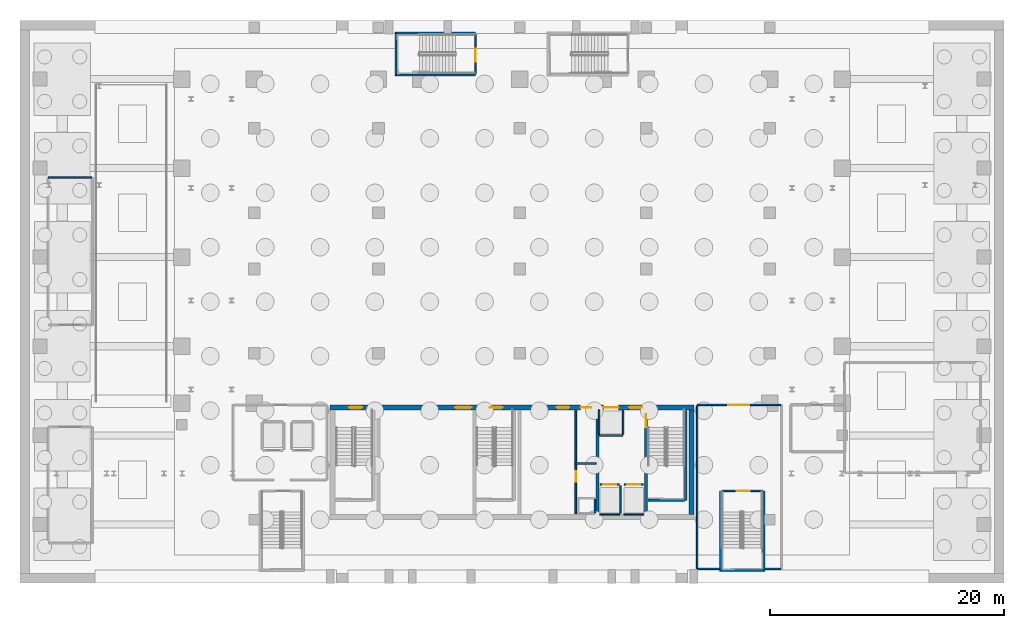
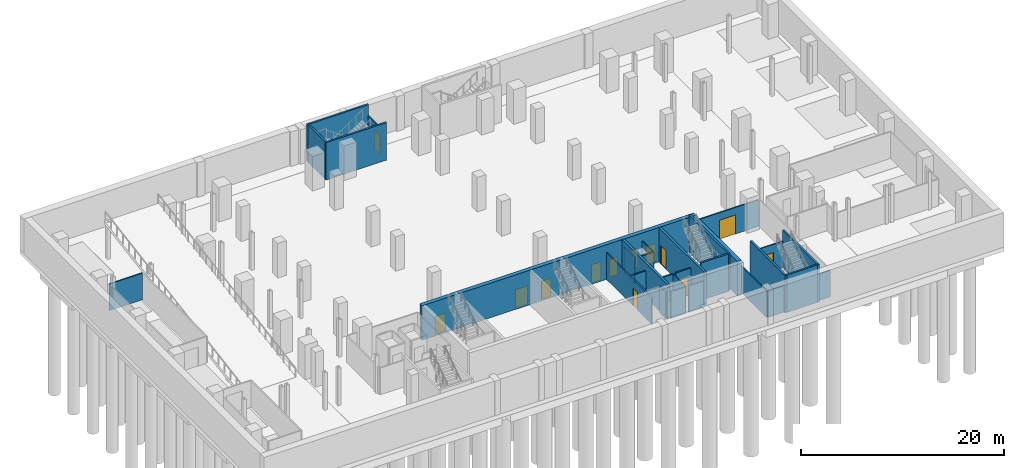
# One storey, part 10 of 18: 30 walls, 14 doors, 14 openings.
"""IFC4 building model written with IfcOpenShell, lengths in metres."""

from ifc_helpers import new_model, si_unit, direction, frame, frame_2d, origin, place, context, subcontext, project, spatial, rectangle, extrude, material, layer, layer_set, type_object, element, fill, save


model = new_model("IFC4")

# Units and contexts
model_context = context("Model", 3, precision=1e-05, world=origin(), true_north=direction((0.0, 1.0)))
body_context = subcontext(model_context, "Body", "Model", "MODEL_VIEW")
ifc_project = project(units=[si_unit("LENGTHUNIT", "METRE"), si_unit("AREAUNIT", "SQUARE_METRE"), si_unit("VOLUMEUNIT", "CUBIC_METRE"), si_unit("PLANEANGLEUNIT", "RADIAN"), si_unit("MASSUNIT", "GRAM", prefix="KILO")], contexts=[model_context])

# Site, building, storey
site_placement = place(None, origin())
site = spatial("IfcSite", under=ifc_project, at=site_placement, CompositionType="ELEMENT")
building_placement = place(site_placement, origin())
building = spatial("IfcBuilding", under=site, at=building_placement, Name="Ndaravel Arena Tower", CompositionType="ELEMENT")
storey_placement = place(building_placement, frame((0.0, 0.0, -9.0)))
storey = spatial("IfcBuildingStorey", under=building, at=storey_placement, Name="B02", CompositionType="ELEMENT", Elevation=-9.0)

# Wall, opening, door
ifc_material_1 = material(Name="Gypsum", Category="gypsum")
ifc_layer_1 = layer(ifc_material_1, 0.14990234375)
ifc_layer_set_1 = layer_set([ifc_layer_1], Name="Gypsum")
wall_type_1 = type_object("IfcWallType", Name="WALL-COMP-150", PredefinedType="PARTITIONING", material=ifc_layer_set_1)
wall_1_placement = place(storey_placement, frame((47.449951171875, 5.89990234375, 0.0), z_axis=(0.0, 0.0, 1.0), x_axis=(0.0, 1.0, 0.0)))
wall_1 = element("IfcWall", 1, at=wall_1_placement, inside=storey, type_object=wall_type_1, Name="B02 Core Riser Bay Partition", PredefinedType="PARTITIONING", context=body_context, shape_type="SweptSolid", body=[
    extrude(rectangle(XDim=8.85009765625, YDim=0.14990234375, at=frame_2d((4.425048828125, 0.0))), origin(), (0.0, 0.0, 1.0), 3.193359375),
])
opening_1_placement = place(wall_1_placement, frame((2.75, 0.0, 0.0)))
opening_1 = element("IfcOpeningElement", 2, at=opening_1_placement, cuts=wall_1, Name="Opening RD-01", PredefinedType="OPENING", context=body_context, shape_type="SweptSolid", body=[
    extrude(rectangle(XDim=0.89990234375, YDim=2.10009765625, at=frame_2d((0.449951171875, 1.050048828125))), frame((0.0, 0.074951171875, 0.0), z_axis=(0.0, -1.0, 0.0), x_axis=(1.0, 0.0, 0.0)), (0.0, 0.0, 1.0), 0.14990234375),
])
ifc_material_2 = material(Name="Steel S355", Category="steel")
door_type_1 = type_object("IfcDoorType", Name="DT-08-RISER-900", OperationType="SINGLE_SWING_LEFT", PredefinedType="DOOR", material=ifc_material_2)
door_1_placement = place(opening_1_placement, origin())
door_1 = element("IfcDoor", 3, at=door_1_placement, inside=storey, type_object=door_type_1, Name="B02 Electrical Riser Door", OperationType="SINGLE_SWING_RIGHT", OverallHeight=2.10009765625, OverallWidth=0.89990234375, PredefinedType="DOOR", context=body_context, shape_type="SweptSolid", body=[
    extrude(rectangle(XDim=0.89990234375, YDim=2.10009765625, at=frame_2d((0.449951171875, 1.050048828125))), frame((0.0, 0.02490234375, 0.0), z_axis=(0.0, -1.0, 0.0), x_axis=(1.0, 0.0, 0.0)), (0.0, 0.0, 1.0), 0.050048828125),
])
fill(opening_1, door_1)

# Walls
wall_2_placement = place(storey_placement, frame((47.449951171875, 10.179931640625, 0.0), z_axis=(0.0, 0.0, 1.0), x_axis=(1.0, 0.0, 0.0)))
element("IfcWall", 4, at=wall_2_placement, inside=storey, type_object=wall_type_1, Name="B02 Core Riser Divider 1", PredefinedType="PARTITIONING", context=body_context, shape_type="SweptSolid", body=[
    extrude(rectangle(XDim=1.72998046875, YDim=0.14990234375, at=frame_2d((0.864990234375, 0.0))), origin(), (0.0, 0.0, 1.0), 3.193359375),
])
ifc_material_3 = material(Name="Concrete C60/75", Category="concrete")
ifc_layer_2 = layer(ifc_material_3, 0.25)
ifc_layer_set_2 = layer_set([ifc_layer_2], Name="Concrete C60/75")
wall_type_2 = type_object("IfcWallType", Name="WALL-CORE-250", PredefinedType="SOLIDWALL", material=ifc_layer_set_2)
wall_3_placement = place(storey_placement, frame((49.300048828125, 5.85009765625, 0.0), z_axis=(0.0, 0.0, 1.0), x_axis=(0.0, 1.0, 0.0)))
element("IfcWall", 5, at=wall_3_placement, inside=storey, type_object=wall_type_2, Name="B02 Core Web Shear Wall 4", PredefinedType="SOLIDWALL", context=body_context, shape_type="SweptSolid", body=[
    extrude(rectangle(XDim=8.89990234375, YDim=0.25, at=frame_2d((4.449951171875, 0.0))), origin(), (0.0, 0.0, 1.0), 4.14990234375),
])

# Wall, opening, door
wall_4_placement = place(storey_placement, frame((53.449951171875, 5.85009765625, 0.0), z_axis=(0.0, 0.0, 1.0), x_axis=(0.0, 1.0, 0.0)))
wall_4 = element("IfcWall", 6, at=wall_4_placement, inside=storey, type_object=wall_type_2, Name="B02 Core Web Shear Wall 5", PredefinedType="SOLIDWALL", context=body_context, shape_type="SweptSolid", body=[
    extrude(rectangle(XDim=8.89990234375, YDim=0.25, at=frame_2d((4.449951171875, 0.0))), origin(), (0.0, 0.0, 1.0), 4.14990234375),
])
opening_2_placement = place(wall_4_placement, frame((7.449951171875, 0.0, 0.0)))
opening_2 = element("IfcOpeningElement", 7, at=opening_2_placement, cuts=wall_4, Name="Opening FD-01", PredefinedType="OPENING", context=body_context, shape_type="SweptSolid", body=[
    extrude(rectangle(XDim=1.10009765625, YDim=2.199951171875, at=frame_2d((0.550048828125, 1.10009765625))), frame((0.0, 0.125, 0.0), z_axis=(0.0, -1.0, 0.0), x_axis=(1.0, 0.0, 0.0)), (0.0, 0.0, 1.0), 0.25),
])
ifc_material_4 = material(Name="Steel S355", Category="steel")
door_type_2 = type_object("IfcDoorType", Name="DT-01-STAIR-1100", OperationType="SINGLE_SWING_LEFT", PredefinedType="DOOR", material=ifc_material_4)
door_2_placement = place(opening_2_placement, origin())
door_2 = element("IfcDoor", 8, at=door_2_placement, inside=storey, type_object=door_type_2, Name="B02 Firefighting Lobby to ST-3 Door", OperationType="SINGLE_SWING_LEFT", OverallHeight=2.199951171875, OverallWidth=1.10009765625, PredefinedType="DOOR", context=body_context, shape_type="SweptSolid", body=[
    extrude(rectangle(XDim=1.10009765625, YDim=2.199951171875, at=frame_2d((0.550048828125, 1.10009765625))), frame((0.0, 0.02490234375, 0.0), z_axis=(0.0, -1.0, 0.0), x_axis=(1.0, 0.0, 0.0)), (0.0, 0.0, 1.0), 0.050048828125),
])
fill(opening_2, door_2)

# Wall, openings, doors
ifc_material_5 = material(Name="Concrete C60/75", Category="concrete")
ifc_layer_3 = layer(ifc_material_5, 0.449951171875)
ifc_layer_set_3 = layer_set([ifc_layer_3], Name="Concrete C60/75")
wall_type_3 = type_object("IfcWallType", Name="WALL-CORE-450", PredefinedType="SOLIDWALL", material=ifc_layer_set_3)
wall_5_placement = place(storey_placement, frame((26.449951171875, 14.97509765625, 0.0), z_axis=(0.0, 0.0, 1.0), x_axis=(1.0, 0.0, 0.0)))
wall_5 = element("IfcWall", 9, at=wall_5_placement, inside=storey, type_object=wall_type_3, Name="B02 Core North Shear Wall", PredefinedType="SOLIDWALL", context=body_context, shape_type="SweptSolid", body=[
    extrude(rectangle(XDim=31.10009765625, YDim=0.449951171875, at=frame_2d((15.550048828125, 0.0))), origin(), (0.0, 0.0, 1.0), 4.14990234375),
])
opening_3_placement = place(wall_5_placement, frame((1.64990234375, 0.0, 0.0)))
opening_3 = element("IfcOpeningElement", 10, at=opening_3_placement, cuts=wall_5, Name="Opening FD-01", PredefinedType="OPENING", context=body_context, shape_type="SweptSolid", body=[
    extrude(rectangle(XDim=1.10009765625, YDim=2.199951171875, at=frame_2d((0.550048828125, 1.10009765625))), frame((0.0, 0.22509765625, 0.0), z_axis=(0.0, -1.0, 0.0), x_axis=(1.0, 0.0, 0.0)), (0.0, 0.0, 1.0), 0.449951171875),
])
opening_4_placement = place(wall_5_placement, frame((13.64990234375, 0.0, 0.0)))
opening_4 = element("IfcOpeningElement", 11, at=opening_4_placement, cuts=wall_5, Name="Opening FD-01", PredefinedType="OPENING", context=body_context, shape_type="SweptSolid", body=[
    extrude(rectangle(XDim=1.10009765625, YDim=2.199951171875, at=frame_2d((0.550048828125, 1.10009765625))), frame((0.0, 0.22509765625, 0.0), z_axis=(0.0, -1.0, 0.0), x_axis=(1.0, 0.0, 0.0)), (0.0, 0.0, 1.0), 0.449951171875),
])
opening_5_placement = place(wall_5_placement, frame((25.550048828125, 0.0, 0.0)))
opening_5 = element("IfcOpeningElement", 12, at=opening_5_placement, cuts=wall_5, Name="Opening FD-01", PredefinedType="OPENING", context=body_context, shape_type="SweptSolid", body=[
    extrude(rectangle(XDim=1.10009765625, YDim=2.199951171875, at=frame_2d((0.550048828125, 1.10009765625))), frame((0.0, 0.22509765625, 0.0), z_axis=(0.0, -1.0, 0.0), x_axis=(1.0, 0.0, 0.0)), (0.0, 0.0, 1.0), 0.449951171875),
])
opening_6_placement = place(wall_5_placement, frame((10.699951171875, 0.0, 0.0)))
opening_6 = element("IfcOpeningElement", 13, at=opening_6_placement, cuts=wall_5, Name="Opening ID-02", PredefinedType="OPENING", context=body_context, shape_type="SweptSolid", body=[
    extrude(rectangle(XDim=1.39990234375, YDim=2.199951171875, at=frame_2d((0.699951171875, 1.10009765625))), frame((0.0, 0.22509765625, 0.0), z_axis=(0.0, -1.0, 0.0), x_axis=(1.0, 0.0, 0.0)), (0.0, 0.0, 1.0), 0.449951171875),
])
opening_7_placement = place(wall_5_placement, frame((19.35009765625, 0.0, 0.0)))
opening_7 = element("IfcOpeningElement", 14, at=opening_7_placement, cuts=wall_5, Name="Opening FD-01", PredefinedType="OPENING", context=body_context, shape_type="SweptSolid", body=[
    extrude(rectangle(XDim=1.10009765625, YDim=2.199951171875, at=frame_2d((0.550048828125, 1.10009765625))), frame((0.0, 0.22509765625, 0.0), z_axis=(0.0, -1.0, 0.0), x_axis=(1.0, 0.0, 0.0)), (0.0, 0.0, 1.0), 0.449951171875),
])
opening_8_placement = place(wall_5_placement, frame((21.39990234375, 0.0, 0.0)))
opening_8 = element("IfcOpeningElement", 15, at=opening_8_placement, cuts=wall_5, Name="Opening RD-01", PredefinedType="OPENING", context=body_context, shape_type="SweptSolid", body=[
    extrude(rectangle(XDim=0.89990234375, YDim=2.10009765625, at=frame_2d((0.449951171875, 1.050048828125))), frame((0.0, 0.22509765625, 0.0), z_axis=(0.0, -1.0, 0.0), x_axis=(1.0, 0.0, 0.0)), (0.0, 0.0, 1.0), 0.449951171875),
])
opening_9_placement = place(wall_5_placement, frame((23.35009765625, 0.0, 0.0)))
opening_9 = element("IfcOpeningElement", 16, at=opening_9_placement, cuts=wall_5, Name="Opening LD-02", PredefinedType="OPENING", context=body_context, shape_type="SweptSolid", body=[
    extrude(rectangle(XDim=1.300048828125, YDim=2.300048828125, at=frame_2d((0.64990234375, 1.14990234375))), frame((0.0, 0.22509765625, 0.0), z_axis=(0.0, -1.0, 0.0), x_axis=(1.0, 0.0, 0.0)), (0.0, 0.0, 1.0), 0.449951171875),
])
door_3_placement = place(opening_3_placement, origin())
door_3 = element("IfcDoor", 17, at=door_3_placement, inside=storey, type_object=door_type_2, Name="B02 Exit Stair ST-1 Door", OperationType="SINGLE_SWING_LEFT", OverallHeight=2.199951171875, OverallWidth=1.10009765625, PredefinedType="DOOR", context=body_context, shape_type="SweptSolid", body=[
    extrude(rectangle(XDim=1.10009765625, YDim=2.199951171875, at=frame_2d((0.550048828125, 1.10009765625))), frame((0.0, 0.02490234375, 0.0), z_axis=(0.0, -1.0, 0.0), x_axis=(1.0, 0.0, 0.0)), (0.0, 0.0, 1.0), 0.050048828125),
])
fill(opening_3, door_3)
door_4_placement = place(opening_4_placement, origin())
door_4 = element("IfcDoor", 18, at=door_4_placement, inside=storey, type_object=door_type_2, Name="B02 Exit Stair ST-2 Door", OperationType="SINGLE_SWING_RIGHT", OverallHeight=2.199951171875, OverallWidth=1.10009765625, PredefinedType="DOOR", context=body_context, shape_type="SweptSolid", body=[
    extrude(rectangle(XDim=1.10009765625, YDim=2.199951171875, at=frame_2d((0.550048828125, 1.10009765625))), frame((0.0, 0.02490234375, 0.0), z_axis=(0.0, -1.0, 0.0), x_axis=(1.0, 0.0, 0.0)), (0.0, 0.0, 1.0), 0.050048828125),
])
fill(opening_4, door_4)
door_5_placement = place(opening_5_placement, origin())
door_5 = element("IfcDoor", 19, at=door_5_placement, inside=storey, type_object=door_type_2, Name="B02 Firefighting Lift Lobby Door", OperationType="SINGLE_SWING_RIGHT", OverallHeight=2.199951171875, OverallWidth=1.10009765625, PredefinedType="DOOR", context=body_context, shape_type="SweptSolid", body=[
    extrude(rectangle(XDim=1.10009765625, YDim=2.199951171875, at=frame_2d((0.550048828125, 1.10009765625))), frame((0.0, 0.02490234375, 0.0), z_axis=(0.0, -1.0, 0.0), x_axis=(1.0, 0.0, 0.0)), (0.0, 0.0, 1.0), 0.050048828125),
])
fill(opening_5, door_5)
door_6_placement = place(opening_7_placement, origin())
door_6 = element("IfcDoor", 20, at=door_6_placement, inside=storey, type_object=door_type_2, Name="B02 Express Lift Lobby Entry Door", OperationType="SINGLE_SWING_LEFT", OverallHeight=2.199951171875, OverallWidth=1.10009765625, PredefinedType="DOOR", context=body_context, shape_type="SweptSolid", body=[
    extrude(rectangle(XDim=1.10009765625, YDim=2.199951171875, at=frame_2d((0.550048828125, 1.10009765625))), frame((0.0, 0.02490234375, 0.0), z_axis=(0.0, -1.0, 0.0), x_axis=(1.0, 0.0, 0.0)), (0.0, 0.0, 1.0), 0.050048828125),
])
fill(opening_7, door_6)
ifc_material_6 = material(Name="Timber", Category="wood")
door_type_3 = type_object("IfcDoorType", Name="DT-04-SUITE-1400", OperationType="DOUBLE_DOOR_SINGLE_SWING", PredefinedType="DOOR", material=ifc_material_6)
door_7_placement = place(opening_6_placement, origin())
door_7 = element("IfcDoor", 21, at=door_7_placement, inside=storey, type_object=door_type_3, Name="B02 West Lift Lobby Entry Door", OperationType="DOUBLE_DOOR_SINGLE_SWING", OverallHeight=2.199951171875, OverallWidth=1.39990234375, PredefinedType="DOOR", context=body_context, shape_type="SweptSolid", body=[
    extrude(rectangle(XDim=1.39990234375, YDim=2.199951171875, at=frame_2d((0.699951171875, 1.10009765625))), frame((0.0, 0.02490234375, 0.0), z_axis=(0.0, -1.0, 0.0), x_axis=(1.0, 0.0, 0.0)), (0.0, 0.0, 1.0), 0.050048828125),
])
fill(opening_6, door_7)
ifc_material_7 = material(Name="Steel S355", Category="steel")
door_type_4 = type_object("IfcDoorType", Name="DT-07-SVLIFT-1300", OperationType="DOUBLE_DOOR_SLIDING", PredefinedType="DOOR", material=ifc_material_7)
door_8_placement = place(opening_9_placement, origin())
door_8 = element("IfcDoor", 22, at=door_8_placement, inside=storey, type_object=door_type_4, Name="B02 Lift SVL-1 Sliding Landing Door", OperationType="DOUBLE_DOOR_SLIDING", OverallHeight=2.300048828125, OverallWidth=1.300048828125, PredefinedType="DOOR", context=body_context, shape_type="SweptSolid", body=[
    extrude(rectangle(XDim=1.300048828125, YDim=2.300048828125, at=frame_2d((0.64990234375, 1.14990234375))), frame((0.0, 0.02490234375, 0.0), z_axis=(0.0, -1.0, 0.0), x_axis=(1.0, 0.0, 0.0)), (0.0, 0.0, 1.0), 0.050048828125),
])
fill(opening_9, door_8)
door_9_placement = place(opening_8_placement, origin())
door_9 = element("IfcDoor", 23, at=door_9_placement, inside=storey, type_object=door_type_1, Name="B02 Core Service Riser North Door", OperationType="SINGLE_SWING_LEFT", OverallHeight=2.10009765625, OverallWidth=0.89990234375, PredefinedType="DOOR", context=body_context, shape_type="SweptSolid", body=[
    extrude(rectangle(XDim=0.89990234375, YDim=2.10009765625, at=frame_2d((0.449951171875, 1.050048828125))), frame((0.0, 0.02490234375, 0.0), z_axis=(0.0, -1.0, 0.0), x_axis=(1.0, 0.0, 0.0)), (0.0, 0.0, 1.0), 0.050048828125),
])
fill(opening_8, door_9)

# Walls
wall_6_placement = place(storey_placement, frame((57.324951171875, 5.85009765625, 0.0), z_axis=(0.0, 0.0, 1.0), x_axis=(0.0, 1.0, 0.0)))
element("IfcWall", 24, at=wall_6_placement, inside=storey, type_object=wall_type_3, Name="B02 Core East Shear Wall", PredefinedType="SOLIDWALL", context=body_context, shape_type="SweptSolid", body=[
    extrude(rectangle(XDim=8.89990234375, YDim=0.449951171875, at=frame_2d((4.449951171875, 0.0))), origin(), (0.0, 0.0, 1.0), 4.14990234375),
])
ifc_material_8 = material(Name="Gypsum", Category="gypsum")
ifc_layer_4 = layer(ifc_material_8, 0.125)
ifc_layer_set_4 = layer_set([ifc_layer_4], Name="Gypsum")
wall_type_4 = type_object("IfcWallType", Name="WALL-PART-125", PredefinedType="PARTITIONING", material=ifc_layer_set_4)
wall_7_placement = place(storey_placement, frame((6.135009765625, 34.60009765625, 0.0), z_axis=(0.0, 0.0, 1.0), x_axis=(-1.0, 0.0, 0.0)))
element("IfcWall", 25, at=wall_7_placement, inside=storey, type_object=wall_type_4, Name="B02 Interior Partition 006", PredefinedType="PARTITIONING", context=body_context, shape_type="SweptSolid", body=[
    extrude(rectangle(XDim=3.735107421875, YDim=0.125, at=frame_2d((1.86767578125, 0.0))), origin(), (0.0, 0.0, 1.0), 3.193359375),
])

# Wall, opening, door
wall_8_placement = place(storey_placement, frame((64.93505859375, 15.199951171875, 0.0), z_axis=(0.0, 0.0, 1.0), x_axis=(-1.0, 0.0, 0.0)))
wall_8 = element("IfcWall", 26, at=wall_8_placement, inside=storey, type_object=wall_type_4, Name="B02 Interior Partition 015", PredefinedType="PARTITIONING", context=body_context, shape_type="SweptSolid", body=[
    extrude(rectangle(XDim=7.135009765625, YDim=0.125, at=frame_2d((3.5673828125, 0.0))), origin(), (0.0, 0.0, 1.0), 3.193359375),
])
opening_10_placement = place(wall_8_placement, frame((2.66748046875, 0.0, 0.0)))
opening_10 = element("IfcOpeningElement", 27, at=opening_10_placement, cuts=wall_8, Name="Opening PD-01", PredefinedType="OPENING", context=body_context, shape_type="SweptSolid", body=[
    extrude(rectangle(XDim=1.800048828125, YDim=2.300048828125, at=frame_2d((0.89990234375, 1.14990234375))), frame((0.0, 0.0625, 0.0), z_axis=(0.0, -1.0, 0.0), x_axis=(1.0, 0.0, 0.0)), (0.0, 0.0, 1.0), 0.125),
])
ifc_material_9 = material(Name="Steel S355", Category="steel")
door_type_5 = type_object("IfcDoorType", Name="DT-09-PLANT-1800", OperationType="DOUBLE_DOOR_SINGLE_SWING", PredefinedType="DOOR", material=ifc_material_9)
door_10_placement = place(opening_10_placement, origin())
door_10 = element("IfcDoor", 28, at=door_10_placement, inside=storey, type_object=door_type_5, Name="B02 Primary HV Substation & Transformer Room Door", OperationType="SINGLE_SWING_LEFT", OverallHeight=2.300048828125, OverallWidth=1.800048828125, PredefinedType="DOOR", context=body_context, shape_type="SweptSolid", body=[
    extrude(rectangle(XDim=1.800048828125, YDim=2.300048828125, at=frame_2d((0.89990234375, 1.14990234375))), frame((0.0, 0.02490234375, 0.0), z_axis=(0.0, -1.0, 0.0), x_axis=(1.0, 0.0, 0.0)), (0.0, 0.0, 1.0), 0.050048828125),
])
fill(opening_10, door_10)

# Walls
wall_9_placement = place(storey_placement, frame((57.800048828125, 15.135009765625, 0.0), z_axis=(0.0, 0.0, 1.0), x_axis=(0.0, -1.0, 0.0)))
element("IfcWall", 29, at=wall_9_placement, inside=storey, type_object=wall_type_4, Name="B02 Interior Partition 016", PredefinedType="PARTITIONING", context=body_context, shape_type="SweptSolid", body=[
    extrude(rectangle(XDim=13.93505859375, YDim=0.125, at=frame_2d((6.967529296875, 0.0))), origin(), (0.0, 0.0, 1.0), 3.193359375),
])
wall_10_placement = place(storey_placement, frame((57.864990234375, 1.199951171875, 0.0), z_axis=(0.0, 0.0, 1.0), x_axis=(1.0, 0.0, 0.0)))
element("IfcWall", 30, at=wall_10_placement, inside=storey, type_object=wall_type_4, Name="B02 Interior Partition 017", PredefinedType="PARTITIONING", context=body_context, shape_type="SweptSolid", body=[
    extrude(rectangle(XDim=1.81494140625, YDim=0.125, at=frame_2d((0.907470703125, 0.0))), origin(), (0.0, 0.0, 1.0), 3.193359375),
])
wall_11_placement = place(storey_placement, frame((63.6201171875, 1.199951171875, 0.0), z_axis=(0.0, 0.0, 1.0), x_axis=(1.0, 0.0, 0.0)))
element("IfcWall", 31, at=wall_11_placement, inside=storey, type_object=wall_type_4, Name="B02 Interior Partition 018", PredefinedType="PARTITIONING", context=body_context, shape_type="SweptSolid", body=[
    extrude(rectangle(XDim=1.31494140625, YDim=0.125, at=frame_2d((0.657470703125, 0.0))), origin(), (0.0, 0.0, 1.0), 3.193359375),
])

# Wall, opening, door
ifc_material_10 = material(Name="Concrete C40/50", Category="concrete")
ifc_layer_5 = layer(ifc_material_10, 0.1201171875)
ifc_layer_set_5 = layer_set([ifc_layer_5], Name="Concrete C40/50")
wall_type_5 = type_object("IfcWallType", Name="WALL-SHAFT-120", PredefinedType="SOLIDWALL", material=ifc_layer_set_5)
wall_12_placement = place(storey_placement, frame((59.905029296875, 7.85009765625, 0.0), z_axis=(0.0, 0.0, 1.0), x_axis=(1.0, 0.0, 0.0)))
wall_12 = element("IfcWall", 32, at=wall_12_placement, inside=storey, type_object=wall_type_5, Name="B02 ST-B2 Entry Wall", PredefinedType="SOLIDWALL", context=body_context, shape_type="SweptSolid", body=[
    extrude(rectangle(XDim=3.489990234375, YDim=0.1201171875, at=frame_2d((1.7451171875, 0.0))), origin(), (0.0, 0.0, 1.0), 3.193359375),
])
opening_11_placement = place(wall_12_placement, frame((1.300048828125, 0.0, 0.0)))
opening_11 = element("IfcOpeningElement", 33, at=opening_11_placement, cuts=wall_12, Name="Opening FD-01", PredefinedType="OPENING", context=body_context, shape_type="SweptSolid", body=[
    extrude(rectangle(XDim=1.10009765625, YDim=2.199951171875, at=frame_2d((0.550048828125, 1.10009765625))), frame((0.0, 0.06005859375, 0.0), z_axis=(0.0, -1.0, 0.0), x_axis=(1.0, 0.0, 0.0)), (0.0, 0.0, 1.0), 0.1201171875),
])
door_11_placement = place(opening_11_placement, origin())
door_11 = element("IfcDoor", 34, at=door_11_placement, inside=storey, type_object=door_type_2, Name="B02 ST-B2 Fire Exit Stair Door", OperationType="SINGLE_SWING_LEFT", OverallHeight=2.199951171875, OverallWidth=1.10009765625, PredefinedType="DOOR", context=body_context, shape_type="SweptSolid", body=[
    extrude(rectangle(XDim=1.10009765625, YDim=2.199951171875, at=frame_2d((0.550048828125, 1.10009765625))), frame((0.0, 0.02490234375, 0.0), z_axis=(0.0, -1.0, 0.0), x_axis=(1.0, 0.0, 0.0)), (0.0, 0.0, 1.0), 0.050048828125),
])
fill(opening_11, door_11)

wall_13_placement = place(storey_placement, frame((38.89990234375, 46.8349609375, 0.0), z_axis=(0.0, 0.0, 1.0), x_axis=(0.0, -1.0, 0.0)))
wall_13 = element("IfcWall", 35, at=wall_13_placement, inside=storey, type_object=wall_type_5, Name="B02 ST-B3 Entry Wall", PredefinedType="SOLIDWALL", context=body_context, shape_type="SweptSolid", body=[
    extrude(rectangle(XDim=3.369873046875, YDim=0.1201171875, at=frame_2d((1.68505859375, 0.0))), origin(), (0.0, 0.0, 1.0), 3.193359375),
])
opening_12_placement = place(wall_13_placement, frame((1.239990234375, 0.0, 0.0)))
opening_12 = element("IfcOpeningElement", 36, at=opening_12_placement, cuts=wall_13, Name="Opening FD-01", PredefinedType="OPENING", context=body_context, shape_type="SweptSolid", body=[
    extrude(rectangle(XDim=1.10009765625, YDim=2.199951171875, at=frame_2d((0.550048828125, 1.10009765625))), frame((0.0, 0.06005859375, 0.0), z_axis=(0.0, -1.0, 0.0), x_axis=(1.0, 0.0, 0.0)), (0.0, 0.0, 1.0), 0.1201171875),
])
door_12_placement = place(opening_12_placement, origin())
door_12 = element("IfcDoor", 37, at=door_12_placement, inside=storey, type_object=door_type_2, Name="B02 ST-B3 Fire Exit Stair Door", OperationType="SINGLE_SWING_LEFT", OverallHeight=2.199951171875, OverallWidth=1.10009765625, PredefinedType="DOOR", context=body_context, shape_type="SweptSolid", body=[
    extrude(rectangle(XDim=1.10009765625, YDim=2.199951171875, at=frame_2d((0.550048828125, 1.10009765625))), frame((0.0, 0.02490234375, 0.0), z_axis=(0.0, -1.0, 0.0), x_axis=(1.0, 0.0, 0.0)), (0.0, 0.0, 1.0), 0.050048828125),
])
fill(opening_12, door_12)

# Walls
wall_14_placement = place(storey_placement, frame((49.080078125, 6.0, 0.0), z_axis=(0.0, 0.0, 1.0), x_axis=(0.0, 1.0, 0.0)))
element("IfcWall", 38, at=wall_14_placement, inside=storey, type_object=wall_type_5, Name="B02 MEP Riser Shaft E Wall", PredefinedType="SOLIDWALL", context=body_context, shape_type="SweptSolid", body=[
    extrude(rectangle(XDim=1.139892578125, YDim=0.1201171875, at=frame_2d((0.56982421875, 0.0))), origin(), (0.0, 0.0, 1.0), 3.193359375),
])
wall_15_placement = place(storey_placement, frame((49.5048828125, 5.840087890625, 0.0), z_axis=(0.0, 0.0, 1.0), x_axis=(1.0, 0.0, 0.0)))
element("IfcWall", 39, at=wall_15_placement, inside=storey, type_object=wall_type_5, Name="B02 FFL-1 Shaft Rear Wall", PredefinedType="SOLIDWALL", context=body_context, shape_type="SweptSolid", body=[
    extrude(rectangle(XDim=1.690185546875, YDim=0.1201171875, at=frame_2d((0.84521484375, 0.0))), origin(), (0.0, 0.0, 1.0), 3.193359375),
])
wall_16_placement = place(storey_placement, frame((51.27490234375, 5.929931640625, 0.0), z_axis=(0.0, 0.0, 1.0), x_axis=(0.0, 1.0, 0.0)))
element("IfcWall", 40, at=wall_16_placement, inside=storey, type_object=wall_type_5, Name="B02 FFL-1 Shaft Side R Wall", PredefinedType="SOLIDWALL", context=body_context, shape_type="SweptSolid", body=[
    extrude(rectangle(XDim=2.380126953125, YDim=0.1201171875, at=frame_2d((1.18994140625, 0.0))), origin(), (0.0, 0.0, 1.0), 3.193359375),
])
wall_17_placement = place(storey_placement, frame((51.554931640625, 5.840087890625, 0.0), z_axis=(0.0, 0.0, 1.0), x_axis=(1.0, 0.0, 0.0)))
element("IfcWall", 41, at=wall_17_placement, inside=storey, type_object=wall_type_5, Name="B02 FFL-2 Shaft Rear Wall", PredefinedType="SOLIDWALL", context=body_context, shape_type="SweptSolid", body=[
    extrude(rectangle(XDim=1.690185546875, YDim=0.1201171875, at=frame_2d((0.84521484375, 0.0))), origin(), (0.0, 0.0, 1.0), 3.193359375),
])
for number, where, z_axis, x_axis, name in (
    (42, (49.43994140625, 12.68994140625, 0.0), (0.0, 0.0, 1.0), (0.0, 1.0, 0.0), "B02 SVL-1 Shaft W Wall"),
    (43, (51.47998046875, 12.68994140625, 0.0), (0.0, 0.0, 1.0), (0.0, 1.0, 0.0), "B02 SVL-1 Shaft E Wall"),
):
    element("IfcWall", number, at=place(storey_placement, frame(where, z_axis=z_axis, x_axis=x_axis)), inside=storey, type_object=wall_type_5, Name=name, PredefinedType="SOLIDWALL", context=body_context, shape_type="SweptSolid", body=[
        extrude(rectangle(XDim=2.070068359375, YDim=0.1201171875, at=frame_2d((1.03515625, 0.0))), origin(), (0.0, 0.0, 1.0), 3.193359375),
    ])
ifc_material_11 = material(Name="Concrete C40/50", Category="concrete")
ifc_layer_6 = layer(ifc_material_11, 0.199951171875)
ifc_layer_set_6 = layer_set([ifc_layer_6], Name="Concrete C40/50")
wall_type_6 = type_object("IfcWallType", Name="WALL-SHAFT-200", PredefinedType="SOLIDWALL", material=ifc_layer_set_6)
wall_18_placement = place(storey_placement, frame((56.840087890625, 14.699951171875, 0.0), z_axis=(0.0, 0.0, 1.0), x_axis=(0.0, -1.0, 0.0)))
element("IfcWall", 44, at=wall_18_placement, inside=storey, type_object=wall_type_6, Name="B02 ST-3 Structural Shaft Wall Right", PredefinedType="SOLIDWALL", context=body_context, shape_type="SweptSolid", body=[
    extrude(rectangle(XDim=7.64990234375, YDim=0.199951171875, at=frame_2d((3.824951171875, 0.0))), origin(), (0.0, 0.0, 1.0), 4.5),
])
wall_19_placement = place(storey_placement, frame((53.6201171875, 7.050048828125, 0.0), z_axis=(0.0, 0.0, 1.0), x_axis=(1.0, 0.0, 0.0)))
element("IfcWall", 45, at=wall_19_placement, inside=storey, type_object=wall_type_6, Name="B02 ST-3 Structural Shaft Wall Far", PredefinedType="SOLIDWALL", context=body_context, shape_type="SweptSolid", body=[
    extrude(rectangle(XDim=3.114990234375, YDim=0.199951171875, at=frame_2d((1.5576171875, 0.0))), origin(), (0.0, 0.0, 1.0), 4.5),
])
for number, where, z_axis, x_axis, name in (
    (46, (59.800048828125, 7.85009765625, 0.0), (0.0, 0.0, 1.0), (0.0, -1.0, 0.0), "B02 ST-B2 Shaft Wall Left"),
    (47, (63.5, 7.85009765625, 0.0), (0.0, 0.0, 1.0), (0.0, -1.0, 0.0), "B02 ST-B2 Shaft Wall Right"),
):
    element("IfcWall", number, at=place(storey_placement, frame(where, z_axis=z_axis, x_axis=x_axis)), inside=storey, type_object=wall_type_6, Name=name, PredefinedType="SOLIDWALL", context=body_context, shape_type="SweptSolid", body=[
        extrude(rectangle(XDim=6.900146484375, YDim=0.199951171875, at=frame_2d((3.4501953125, 0.0))), origin(), (0.0, 0.0, 1.0), 4.5),
    ])
wall_20_placement = place(storey_placement, frame((59.81005859375, 1.050048828125, 0.0), z_axis=(0.0, 0.0, 1.0), x_axis=(1.0, 0.0, 0.0)))
element("IfcWall", 48, at=wall_20_placement, inside=storey, type_object=wall_type_6, Name="B02 ST-B2 Shaft Wall Far", PredefinedType="SOLIDWALL", context=body_context, shape_type="SweptSolid", body=[
    extrude(rectangle(XDim=3.679931640625, YDim=0.199951171875, at=frame_2d((1.83984375, 0.0))), origin(), (0.0, 0.0, 1.0), 4.5),
])
for number, where, z_axis, x_axis, name in (
    (49, (38.89990234375, 46.93994140625, 0.0), (0.0, 0.0, 1.0), (-1.0, 0.0, 0.0), "B02 ST-B3 Shaft Wall Left"),
    (50, (38.89990234375, 43.360107421875, 0.0), (0.0, 0.0, 1.0), (-1.0, 0.0, 0.0), "B02 ST-B3 Shaft Wall Right"),
):
    element("IfcWall", number, at=place(storey_placement, frame(where, z_axis=z_axis, x_axis=x_axis)), inside=storey, type_object=wall_type_6, Name=name, PredefinedType="SOLIDWALL", context=body_context, shape_type="SweptSolid", body=[
        extrude(rectangle(XDim=6.89990234375, YDim=0.199951171875, at=frame_2d((3.449951171875, 0.0))), origin(), (0.0, 0.0, 1.0), 4.5),
    ])
wall_21_placement = place(storey_placement, frame((32.10009765625, 46.929931640625, 0.0), z_axis=(0.0, 0.0, 1.0), x_axis=(0.0, -1.0, 0.0)))
element("IfcWall", 51, at=wall_21_placement, inside=storey, type_object=wall_type_6, Name="B02 ST-B3 Shaft Wall Far", PredefinedType="SOLIDWALL", context=body_context, shape_type="SweptSolid", body=[
    extrude(rectangle(XDim=3.559814453125, YDim=0.199951171875, at=frame_2d((1.77978515625, 0.0))), origin(), (0.0, 0.0, 1.0), 4.5),
])

# Wall, opening, door
wall_22_placement = place(storey_placement, frame((49.5048828125, 8.39990234375, 0.0), z_axis=(0.0, 0.0, 1.0), x_axis=(1.0, 0.0, 0.0)))
wall_22 = element("IfcWall", 52, at=wall_22_placement, inside=storey, type_object=wall_type_6, Name="B02 FFL-1 Shaft Landing Wall", PredefinedType="SOLIDWALL", context=body_context, shape_type="SweptSolid", body=[
    extrude(rectangle(XDim=1.690185546875, YDim=0.179931640625, at=frame_2d((0.84521484375, 0.0))), origin(), (0.0, 0.0, 1.0), 3.193359375),
])
opening_13_placement = place(wall_22_placement, frame((0.294921875, 0.0, 0.0)))
opening_13 = element("IfcOpeningElement", 53, at=opening_13_placement, cuts=wall_22, Name="Opening LD-01", PredefinedType="OPENING", context=body_context, shape_type="SweptSolid", body=[
    extrude(rectangle(XDim=1.10009765625, YDim=2.199951171875, at=frame_2d((0.550048828125, 1.10009765625))), frame((0.0, 0.08984375, 0.0), z_axis=(0.0, -1.0, 0.0), x_axis=(1.0, 0.0, 0.0)), (0.0, 0.0, 1.0), 0.179931640625),
])
ifc_material_12 = material(Name="Steel S355", Category="steel")
door_type_6 = type_object("IfcDoorType", Name="DT-06-LIFT-1100", OperationType="SLIDING_TO_LEFT", PredefinedType="DOOR", material=ifc_material_12)
door_13_placement = place(opening_13_placement, origin())
door_13 = element("IfcDoor", 54, at=door_13_placement, inside=storey, type_object=door_type_6, Name="B02 Lift FFL-1 Sliding Landing Door", OperationType="SLIDING_TO_LEFT", OverallHeight=2.199951171875, OverallWidth=1.10009765625, PredefinedType="DOOR", context=body_context, shape_type="SweptSolid", body=[
    extrude(rectangle(XDim=1.10009765625, YDim=2.199951171875, at=frame_2d((0.550048828125, 1.10009765625))), frame((0.0, 0.02490234375, 0.0), z_axis=(0.0, -1.0, 0.0), x_axis=(1.0, 0.0, 0.0)), (0.0, 0.0, 1.0), 0.050048828125),
])
fill(opening_13, door_13)

wall_23_placement = place(storey_placement, frame((51.554931640625, 8.39990234375, 0.0), z_axis=(0.0, 0.0, 1.0), x_axis=(1.0, 0.0, 0.0)))
wall_23 = element("IfcWall", 55, at=wall_23_placement, inside=storey, type_object=wall_type_6, Name="B02 FFL-2 Shaft Landing Wall", PredefinedType="SOLIDWALL", context=body_context, shape_type="SweptSolid", body=[
    extrude(rectangle(XDim=1.690185546875, YDim=0.179931640625, at=frame_2d((0.84521484375, 0.0))), origin(), (0.0, 0.0, 1.0), 3.193359375),
])
opening_14_placement = place(wall_23_placement, frame((0.294921875, 0.0, 0.0)))
opening_14 = element("IfcOpeningElement", 56, at=opening_14_placement, cuts=wall_23, Name="Opening LD-01", PredefinedType="OPENING", context=body_context, shape_type="SweptSolid", body=[
    extrude(rectangle(XDim=1.10009765625, YDim=2.199951171875, at=frame_2d((0.550048828125, 1.10009765625))), frame((0.0, 0.08984375, 0.0), z_axis=(0.0, -1.0, 0.0), x_axis=(1.0, 0.0, 0.0)), (0.0, 0.0, 1.0), 0.179931640625),
])
door_14_placement = place(opening_14_placement, origin())
door_14 = element("IfcDoor", 57, at=door_14_placement, inside=storey, type_object=door_type_6, Name="B02 Lift FFL-2 Sliding Landing Door", OperationType="SLIDING_TO_LEFT", OverallHeight=2.199951171875, OverallWidth=1.10009765625, PredefinedType="DOOR", context=body_context, shape_type="SweptSolid", body=[
    extrude(rectangle(XDim=1.10009765625, YDim=2.199951171875, at=frame_2d((0.550048828125, 1.10009765625))), frame((0.0, 0.02490234375, 0.0), z_axis=(0.0, -1.0, 0.0), x_axis=(1.0, 0.0, 0.0)), (0.0, 0.0, 1.0), 0.050048828125),
])
fill(opening_14, door_14)

# Wall
wall_24_placement = place(storey_placement, frame((49.43994140625, 12.594970703125, 0.0), z_axis=(0.0, 0.0, 1.0), x_axis=(1.0, 0.0, 0.0)))
element("IfcWall", 58, at=wall_24_placement, inside=storey, type_object=wall_type_6, Name="B02 SVL-1 Shaft South Wall", PredefinedType="SOLIDWALL", context=body_context, shape_type="SweptSolid", body=[
    extrude(rectangle(XDim=2.0400390625, YDim=0.179931640625, at=frame_2d((1.02001953125, 0.0))), origin(), (0.0, 0.0, 1.0), 3.193359375),
])

save(model, "model.ifc")
